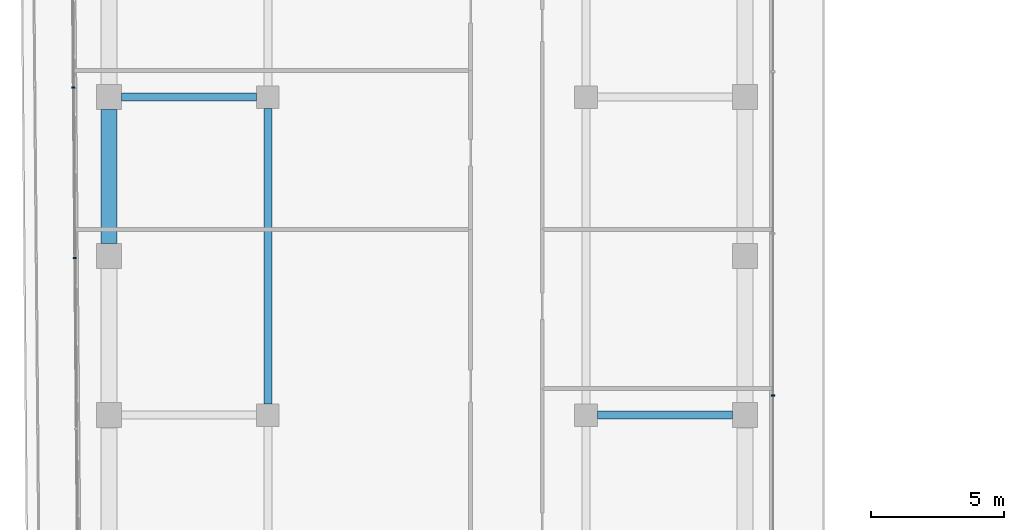
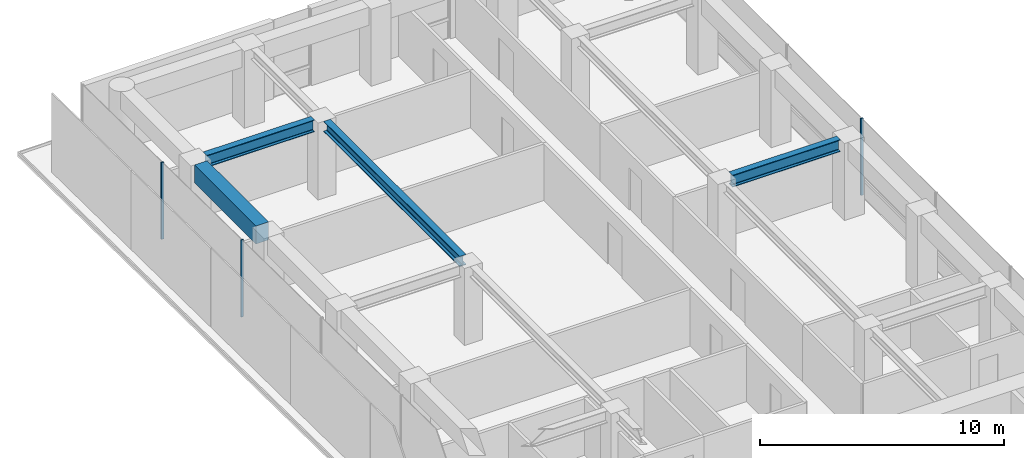
# One storey, part 16 of 28: 4 beams, 3 members, 2 elements without a shape of their own.
"""IFC4 building model written with IfcOpenShell, lengths in metres."""

import ifcopenshell
import ifcopenshell.guid

model = None  # the IFC model being written
_history = None  # IfcOwnerHistory: only IFC2X3 demands one
_inside = {}  # id of a spatial element -> (the spatial element, [elements in it])
_under = {}  # id of a project, library or spatial element -> (it, [spatial elements below it])
_declared = {}  # id of a project -> (the project, [libraries it declares])
_typed = {}  # id of a type object -> (the type object, [elements of that type])
_made_of = {}  # id of a material, layer set ... -> (it, [elements and type objects made of it])


def new_model(schema):
    """Start an empty IFC model of exactly this schema.

    Asked for "IFC4X3", IfcOpenShell would pick the latest addendum, in which some entities
    have other attributes; the version numbers below select the first issue.
    IFC2X3 requires an IfcOwnerHistory on every rooted entity: one is made here for all.
    """
    global model, _history
    if schema == "IFC4X3":
        model = ifcopenshell.file(schema_version=(4, 3, 0, 0))
    else:
        model = ifcopenshell.file(schema=schema)
    _inside.clear()
    _under.clear()
    _declared.clear()
    _typed.clear()
    _made_of.clear()
    _history = None
    if model.schema == "IFC2X3":
        org = make("IfcOrganization", Name="unknown")
        user = make(
            "IfcPersonAndOrganization",
            ThePerson=make("IfcPerson", FamilyName="unknown"),
            TheOrganization=org,
        )
        app = make(
            "IfcApplication",
            ApplicationDeveloper=org,
            Version="unknown",
            ApplicationFullName="unknown",
            ApplicationIdentifier="unknown",
        )
        _history = make(
            "IfcOwnerHistory",
            OwningUser=user,
            OwningApplication=app,
            ChangeAction="ADDED",
            CreationDate=0,
        )
    return model


def make(cls, **values):
    """One entity of the class cls with the attributes given. An attribute that is None is left unset."""
    return model.create_entity(
        cls, **{name: value for name, value in values.items() if value is not None}
    )


def rooted(cls, **values):
    """An entity with a GlobalId (a new one), such as an element, a storey or a relation."""
    return make(cls, GlobalId=ifcopenshell.guid.new(), OwnerHistory=_history, **values)


def si_unit(unit_type, name, prefix=None):
    """IfcSIUnit, for example si_unit("LENGTHUNIT", "METRE", prefix="MILLI")."""
    return make("IfcSIUnit", UnitType=unit_type, Prefix=prefix, Name=name)


def assignment(units):
    """IfcUnitAssignment: the units of a project."""
    return None if units is None else make("IfcUnitAssignment", Units=units)


def point(xyz):
    """IfcCartesianPoint."""
    return None if xyz is None else make("IfcCartesianPoint", Coordinates=xyz)


def direction(xyz):
    """IfcDirection."""
    return None if xyz is None else make("IfcDirection", DirectionRatios=xyz)


def frame(location, z_axis=None, x_axis=None):
    """IfcAxis2Placement3D, a coordinate frame: its origin and axes. An axis left out is left unset."""
    return make(
        "IfcAxis2Placement3D",
        Location=point(location),
        Axis=direction(z_axis),
        RefDirection=direction(x_axis),
    )


def frame_2d(location, x_axis=None):
    """IfcAxis2Placement2D, a coordinate frame in the plane: its origin and x axis."""
    return make(
        "IfcAxis2Placement2D", Location=point(location), RefDirection=direction(x_axis)
    )


def origin():
    """The frame at (0, 0, 0) with its axes left unset."""
    return frame((0.0, 0.0, 0.0))


def origin_2d():
    """The frame at (0, 0) in the plane with its x axis left unset."""
    return frame_2d((0.0, 0.0))


def place(relative_to, where):
    """IfcLocalPlacement: puts the frame where relative to a parent placement (None: the world)."""
    return make(
        "IfcLocalPlacement", PlacementRelTo=relative_to, RelativePlacement=where
    )


def context(
    kind, dimensions, precision=None, world=None, true_north=None, identifier=None
):
    """IfcGeometricRepresentationContext, for example the 3D "Model" context."""
    return make(
        "IfcGeometricRepresentationContext",
        ContextIdentifier=identifier,
        ContextType=kind,
        CoordinateSpaceDimension=dimensions,
        Precision=precision,
        WorldCoordinateSystem=world,
        TrueNorth=true_north,
    )


def subcontext(parent, identifier, kind, view, scale=None):
    """IfcGeometricRepresentationSubContext, for example "Body" below "Model"."""
    return make(
        "IfcGeometricRepresentationSubContext",
        ContextIdentifier=identifier,
        ContextType=kind,
        ParentContext=parent,
        TargetScale=scale,
        TargetView=view,
    )


def project(units=None, contexts=None):
    """IfcProject with its units and contexts."""
    return rooted(
        "IfcProject",
        Name="project",
        RepresentationContexts=contexts,
        UnitsInContext=assignment(units),
    )


def spatial(cls, under=None, at=None, **own):
    """A site, building, storey or space (cls), placed at a placement, below another one or the project."""
    s = rooted(cls, ObjectPlacement=at, **own)
    if under is not None:
        _under.setdefault(under.id(), (under, []))[1].append(s)
    return s


def profile(cls, at=None, kind="AREA", **sizes):
    """A parametric profile (cls). Its sizes go by their IFC names, for example OverallWidth=200.0."""
    return make(cls, ProfileType=kind, Position=at, **sizes)


def rectangle(**sizes):
    """IfcRectangleProfileDef."""
    return profile("IfcRectangleProfileDef", **sizes)


def i_section(**sizes):
    """IfcIShapeProfileDef."""
    return profile("IfcIShapeProfileDef", **sizes)


def extrude(swept, where, along, depth):
    """IfcExtrudedAreaSolid: the profile swept, set in the frame where, extruded along a direction by depth."""
    return make(
        "IfcExtrudedAreaSolid",
        SweptArea=swept,
        Position=where,
        ExtrudedDirection=direction(along),
        Depth=depth,
    )


def shape(context_of_items, identifier, shape_type, items):
    """IfcShapeRepresentation: the items that make up one representation, for example the "Body"."""
    return make(
        "IfcShapeRepresentation",
        ContextOfItems=context_of_items,
        RepresentationIdentifier=identifier,
        RepresentationType=shape_type,
        Items=items,
    )


def material(Name=None, Category=None):
    """IfcMaterial."""
    return make("IfcMaterial", Name=Name, Category=Category)


def layer(
    of_material, thickness, ventilated=None, Name=None, Category=None, Priority=None
):
    """IfcMaterialLayer: one layer of a wall or slab, of a material (None: an air gap)."""
    return make(
        "IfcMaterialLayer",
        Material=of_material,
        LayerThickness=thickness,
        IsVentilated=ventilated,
        Name=Name,
        Category=Category,
        Priority=Priority,
    )


def layer_set(layers, Name=None):
    """IfcMaterialLayerSet."""
    return make("IfcMaterialLayerSet", MaterialLayers=layers, LayerSetName=Name)


def material_profile(
    of_material, cross_section, Name=None, Category=None, Priority=None
):
    """IfcMaterialProfile: a cross section and its material."""
    return make(
        "IfcMaterialProfile",
        Name=Name,
        Material=of_material,
        Profile=cross_section,
        Priority=Priority,
        Category=Category,
    )


def profile_set(profiles, Name=None, composite=None):
    """IfcMaterialProfileSet."""
    return make(
        "IfcMaterialProfileSet",
        Name=Name,
        MaterialProfiles=profiles,
        CompositeProfile=composite,
    )


def made_of(thing, what):
    """Note that an element or type object is made of a material, layer set ...; save() writes the relation."""
    if what is not None:
        _made_of.setdefault(what.id(), (what, []))[1].append(thing)
    return thing


def type_object(cls, material=None, **own):
    """A type object (cls), such as IfcWallType, which elements share."""
    return made_of(rooted(cls, **own), material)


def element(
    cls,
    number,
    at=None,
    inside=None,
    cuts=None,
    type_object=None,
    material=None,
    context=None,
    identifier="Body",
    shape_type=None,
    held_by="IfcProductDefinitionShape",
    body=None,
    shapes=None,
    **own,
):
    """One element of the class cls, such as IfcWall. Its Tag is "e" and its number.

    at: its placement. inside: the storey or other place that contains it. cuts: it is an
    opening in that element (IfcRelVoidsElement). A single representation is given by context,
    identifier, shape_type and body (its items); several are given by shapes. held_by: the class
    of the entity that holds the representations. save() writes the other relations.
    """
    e = rooted(cls, Tag="e%d" % number, ObjectPlacement=at, **own)
    if body is not None:
        shapes = [shape(context, identifier, shape_type, body)]
    if shapes is not None:
        e.Representation = make(held_by, Representations=shapes)
    if inside is not None:
        _inside.setdefault(inside.id(), (inside, []))[1].append(e)
    if cuts is not None:
        rooted(
            "IfcRelVoidsElement", RelatingBuildingElement=cuts, RelatedOpeningElement=e
        )
    if type_object is not None:
        _typed.setdefault(type_object.id(), (type_object, []))[1].append(e)
    return made_of(e, material)


def aggregate(whole, parts):
    """IfcRelAggregates: a whole, such as a stair, and the parts it consists of."""
    return rooted("IfcRelAggregates", RelatingObject=whole, RelatedObjects=parts)


def save(model, path):
    """Write the relations noted so far, then the file.

    IfcRelAggregates (storeys below a building ...), IfcRelContainedInSpatialStructure (elements
    in a storey), IfcRelDefinesByType, IfcRelAssociatesMaterial and IfcRelDeclares: one each for
    every whole, place, type object, material and project.
    """
    for whole, parts in _under.values():
        aggregate(whole, parts)
    for where, things in _inside.values():
        rooted(
            "IfcRelContainedInSpatialStructure",
            RelatedElements=things,
            RelatingStructure=where,
        )
    for kind, things in _typed.values():
        rooted("IfcRelDefinesByType", RelatedObjects=things, RelatingType=kind)
    for what, things in _made_of.values():
        rooted("IfcRelAssociatesMaterial", RelatedObjects=things, RelatingMaterial=what)
    for by, libraries in _declared.values():
        rooted("IfcRelDeclares", RelatingContext=by, RelatedDefinitions=libraries)
    model.write(path)


model = new_model("IFC4")

# Units and contexts
model_context = context("Model", 3, precision=1e-05, world=origin(), true_north=direction((0.0, 1.0)))
body_context = subcontext(model_context, "Body", "Model", "MODEL_VIEW")
ifc_project = project(units=[si_unit("LENGTHUNIT", "METRE"), si_unit("AREAUNIT", "SQUARE_METRE"), si_unit("VOLUMEUNIT", "CUBIC_METRE"), si_unit("PLANEANGLEUNIT", "RADIAN"), si_unit("MASSUNIT", "GRAM", prefix="KILO")], contexts=[model_context])

# Site, building, storey
site_placement = place(None, origin())
site = spatial("IfcSite", under=ifc_project, at=site_placement, CompositionType="ELEMENT")
building_placement = place(site_placement, origin())
building = spatial("IfcBuilding", under=site, at=building_placement, Name="Welwitschia Terrace Campus", CompositionType="ELEMENT")
storey_placement = place(building_placement, frame((0.0, 0.0, 54.199951171875)))
storey = spatial("IfcBuildingStorey", under=building, at=storey_placement, Name="L12", CompositionType="ELEMENT", Elevation=54.199951171875)

# Beam
ifc_material_1 = material(Name="Steel S355", Category="steel")
ifc_material_profile_1 = material_profile(ifc_material_1, i_section(OverallWidth=0.305908203125, OverallDepth=0.52392578125, WebThickness=0.02099609375, FlangeThickness=0.0400390625, FilletRadius=0.027099609375, at=origin_2d()))
ifc_profile_set_1 = profile_set([ifc_material_profile_1], Name="Steel S355")
beam_type_1 = type_object("IfcBeamType", Name="Interior girder HE 500 M", PredefinedType="BEAM", material=ifc_profile_set_1)
beam_1_placement = place(storey_placement, frame((6.0, 44.425537109375, 3.588134765625), z_axis=(0.0, 1.0, 0.0), x_axis=(-1.0, 0.0, 0.0)))
element("IfcBeam", 1, at=beam_1_placement, inside=storey, type_object=beam_type_1, Name="Girder GB2", PredefinedType="BEAM", context=body_context, shape_type="SweptSolid", body=[
    extrude(i_section(OverallWidth=0.305908203125, OverallDepth=0.52392578125, WebThickness=0.02099609375, FlangeThickness=0.0400390625, FilletRadius=0.027099609375, at=origin_2d()), origin(), (0.0, 0.0, 1.0), 11.14892578125),
])

# Curtain wall, members
ifc_material_2 = material(Name="Bronze anodised aluminium", Category="aluminium")
ifc_layer = layer(ifc_material_2, 0.1201171875)
ifc_layer_set = layer_set([ifc_layer], Name="Bronze anodised aluminium")
curtain_wall_type = type_object("IfcCurtainWallType", Name="Curtain wall CW2 tower 6000", PredefinedType="NOTDEFINED", material=ifc_layer_set)
curtain_wall_1_placement = place(storey_placement, origin())
curtain_wall_1 = element("IfcCurtainWall", 2, at=curtain_wall_1_placement, inside=storey, type_object=curtain_wall_type, Name="CW L12.0.0", PredefinedType="NOTDEFINED")
ifc_material_3 = material(Name="Bronze anodised aluminium", Category="aluminium")
ifc_material_profile_2 = material_profile(ifc_material_3, rectangle(XDim=0.1201171875, YDim=0.06005859375, at=origin_2d()))
ifc_profile_set_2 = profile_set([ifc_material_profile_2], Name="Bronze anodised aluminium")
member_type = type_object("IfcMemberType", Name="Mullion 60x120", PredefinedType="MULLION", material=ifc_profile_set_2)
member_1_placement = place(storey_placement, frame((-1.339111328125, 56.367919921875, 0.0), z_axis=(0.0, 0.0, 1.0), x_axis=(0.999961923064, 0.008726535498, 0.0)))
member_1 = element("IfcMember", 3, at=member_1_placement, type_object=member_type, Name="Mullion L12.0.0.1", PredefinedType="MULLION", context=body_context, shape_type="SweptSolid", body=[
    extrude(rectangle(XDim=0.1201171875, YDim=0.06005859375, at=origin_2d()), origin(), (0.0, 0.0, 1.0), 3.85009765625),
])
member_2_placement = place(storey_placement, frame((-1.282958984375, 49.9267578125, 0.0), z_axis=(0.0, 0.0, 1.0), x_axis=(0.999961923064, 0.008726535498, 0.0)))
member_2 = element("IfcMember", 4, at=member_2_placement, type_object=member_type, Name="Mullion L12.0.0.2", PredefinedType="MULLION", context=body_context, shape_type="SweptSolid", body=[
    extrude(rectangle(XDim=0.1201171875, YDim=0.06005859375, at=origin_2d()), origin(), (0.0, 0.0, 1.0), 3.85009765625),
])
aggregate(curtain_wall_1, [member_1, member_2])

# Curtain wall, member
curtain_wall_2_placement = place(storey_placement, origin())
curtain_wall_2 = element("IfcCurtainWall", 5, at=curtain_wall_2_placement, inside=storey, type_object=curtain_wall_type, Name="CW L12.10.0", PredefinedType="NOTDEFINED")
member_3_placement = place(storey_placement, frame((25.05810546875, 44.74853515625, 0.0), z_axis=(0.0, 0.0, 1.0), x_axis=(-1.0, 0.0, 0.0)))
member_3 = element("IfcMember", 6, at=member_3_placement, type_object=member_type, Name="Mullion L12.10.0.3", PredefinedType="MULLION", context=body_context, shape_type="SweptSolid", body=[
    extrude(rectangle(XDim=0.1201171875, YDim=0.06005859375, at=origin_2d()), origin(), (0.0, 0.0, 1.0), 3.85009765625),
])
aggregate(curtain_wall_2, [member_3])

# Beams
ifc_material_4 = material(Name="Steel S355", Category="steel")
ifc_material_profile_3 = material_profile(ifc_material_4, i_section(OverallWidth=0.300048828125, OverallDepth=0.60009765625, WebThickness=0.015380859375, FlangeThickness=0.030029296875, FilletRadius=0.027099609375, at=origin_2d()))
ifc_profile_set_3 = profile_set([ifc_material_profile_3], Name="Steel S355")
beam_type_2 = type_object("IfcBeamType", Name="Primary beam HE 600 B", PredefinedType="BEAM", material=ifc_profile_set_3)
for number, where, z_axis, x_axis, name in (
    (7, (23.5244140625, 44.0, 3.550048828125), (-1.0, 0.0, 0.0), (0.0, -1.0, 0.0), "Primary beam PB2"),
    (8, (0.4755859375, 56.0, 3.550048828125), (1.0, 0.0, 0.0), (0.0, 1.0, 0.0), "Primary beam PB2"),
):
    element("IfcBeam", number, at=place(storey_placement, frame(where, z_axis=z_axis, x_axis=x_axis)), inside=storey, type_object=beam_type_2, Name=name, PredefinedType="BEAM", context=body_context, shape_type="SweptSolid", body=[
        extrude(i_section(OverallWidth=0.300048828125, OverallDepth=0.60009765625, WebThickness=0.015380859375, FlangeThickness=0.030029296875, FilletRadius=0.027099609375, at=origin_2d()), origin(), (0.0, 0.0, 1.0), 5.098876953125),
    ])
ifc_material_5 = material(Name="Concrete C60/75", Category="concrete")
ifc_material_profile_4 = material_profile(ifc_material_5, rectangle(XDim=0.60009765625, YDim=0.89990234375, at=origin_2d()))
ifc_profile_set_4 = profile_set([ifc_material_profile_4], Name="Concrete C60/75")
beam_type_3 = type_object("IfcBeamType", Name="Ring spandrel 600x900", PredefinedType="SPANDREL", material=ifc_profile_set_4)
beam_2_placement = place(storey_placement, frame((0.0, 55.5244140625, 3.400146484375), z_axis=(0.0, -1.0, 0.0), x_axis=(1.0, 0.0, 0.0)))
element("IfcBeam", 9, at=beam_2_placement, inside=storey, type_object=beam_type_3, Name="Spandrel SP2", PredefinedType="SPANDREL", context=body_context, shape_type="SweptSolid", body=[
    extrude(rectangle(XDim=0.60009765625, YDim=0.89990234375, at=origin_2d()), origin(), (0.0, 0.0, 1.0), 5.048828125),
])

save(model, "model.ifc")
